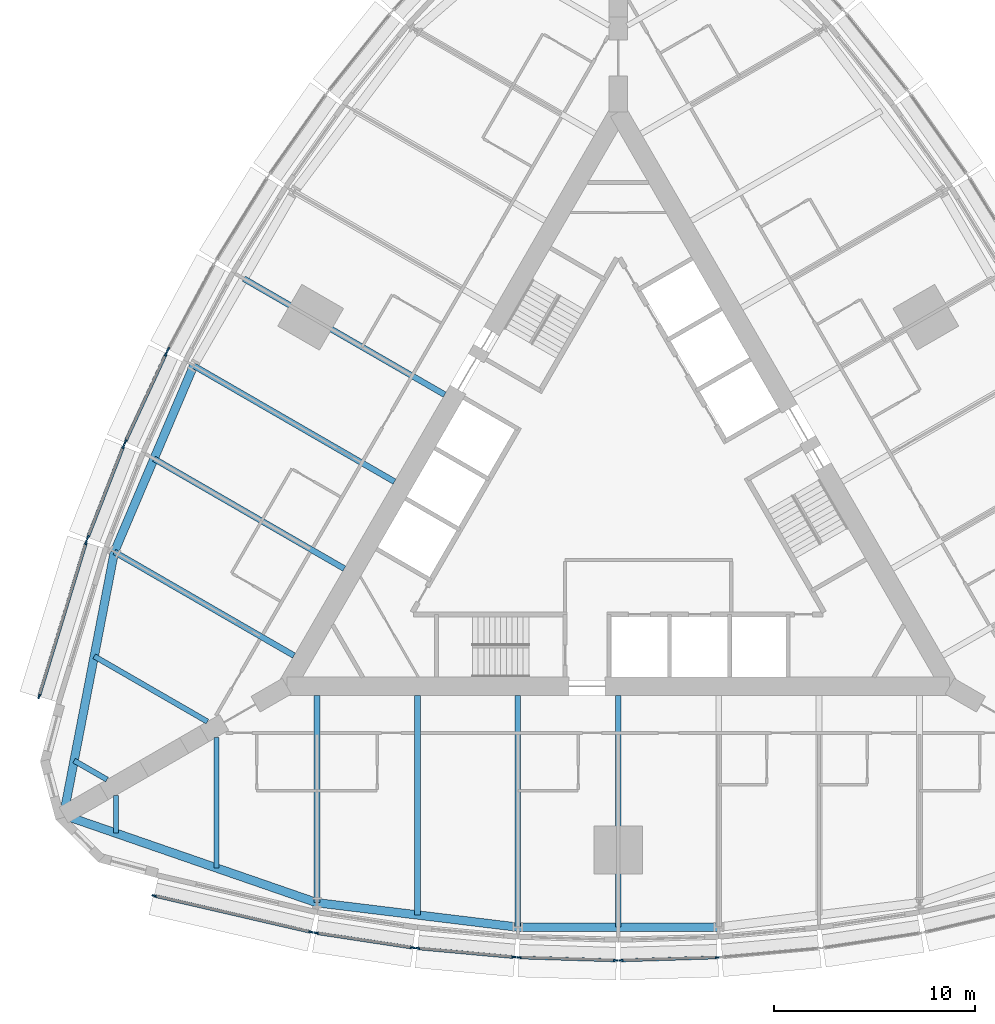
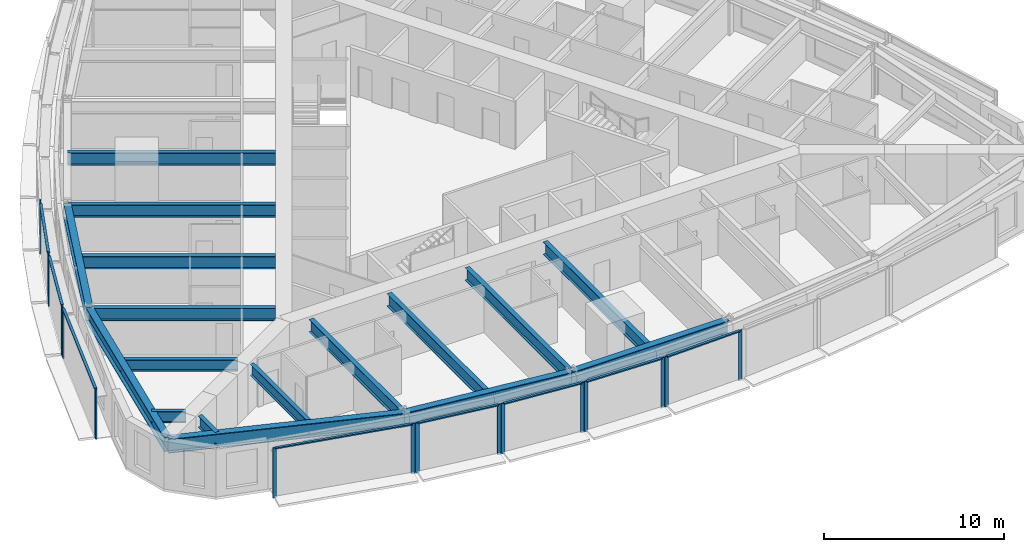
# One storey, part 2 of 14: 25 members, 17 beams, 9 elements without a shape of their own.
"""IFC4 building model written with IfcOpenShell, lengths in metres."""

import ifcopenshell
import ifcopenshell.guid

model = None  # the IFC model being written
_history = None  # IfcOwnerHistory: only IFC2X3 demands one
_inside = {}  # id of a spatial element -> (the spatial element, [elements in it])
_under = {}  # id of a project, library or spatial element -> (it, [spatial elements below it])
_declared = {}  # id of a project -> (the project, [libraries it declares])
_typed = {}  # id of a type object -> (the type object, [elements of that type])
_made_of = {}  # id of a material, layer set ... -> (it, [elements and type objects made of it])


def new_model(schema):
    """Start an empty IFC model of exactly this schema.

    Asked for "IFC4X3", IfcOpenShell would pick the latest addendum, in which some entities
    have other attributes; the version numbers below select the first issue.
    IFC2X3 requires an IfcOwnerHistory on every rooted entity: one is made here for all.
    """
    global model, _history
    if schema == "IFC4X3":
        model = ifcopenshell.file(schema_version=(4, 3, 0, 0))
    else:
        model = ifcopenshell.file(schema=schema)
    _inside.clear()
    _under.clear()
    _declared.clear()
    _typed.clear()
    _made_of.clear()
    _history = None
    if model.schema == "IFC2X3":
        org = make("IfcOrganization", Name="unknown")
        user = make(
            "IfcPersonAndOrganization",
            ThePerson=make("IfcPerson", FamilyName="unknown"),
            TheOrganization=org,
        )
        app = make(
            "IfcApplication",
            ApplicationDeveloper=org,
            Version="unknown",
            ApplicationFullName="unknown",
            ApplicationIdentifier="unknown",
        )
        _history = make(
            "IfcOwnerHistory",
            OwningUser=user,
            OwningApplication=app,
            ChangeAction="ADDED",
            CreationDate=0,
        )
    return model


def make(cls, **values):
    """One entity of the class cls with the attributes given. An attribute that is None is left unset."""
    return model.create_entity(
        cls, **{name: value for name, value in values.items() if value is not None}
    )


def rooted(cls, **values):
    """An entity with a GlobalId (a new one), such as an element, a storey or a relation."""
    return make(cls, GlobalId=ifcopenshell.guid.new(), OwnerHistory=_history, **values)


def si_unit(unit_type, name, prefix=None):
    """IfcSIUnit, for example si_unit("LENGTHUNIT", "METRE", prefix="MILLI")."""
    return make("IfcSIUnit", UnitType=unit_type, Prefix=prefix, Name=name)


def assignment(units):
    """IfcUnitAssignment: the units of a project."""
    return None if units is None else make("IfcUnitAssignment", Units=units)


def point(xyz):
    """IfcCartesianPoint."""
    return None if xyz is None else make("IfcCartesianPoint", Coordinates=xyz)


def direction(xyz):
    """IfcDirection."""
    return None if xyz is None else make("IfcDirection", DirectionRatios=xyz)


def frame(location, z_axis=None, x_axis=None):
    """IfcAxis2Placement3D, a coordinate frame: its origin and axes. An axis left out is left unset."""
    return make(
        "IfcAxis2Placement3D",
        Location=point(location),
        Axis=direction(z_axis),
        RefDirection=direction(x_axis),
    )


def frame_2d(location, x_axis=None):
    """IfcAxis2Placement2D, a coordinate frame in the plane: its origin and x axis."""
    return make(
        "IfcAxis2Placement2D", Location=point(location), RefDirection=direction(x_axis)
    )


def origin():
    """The frame at (0, 0, 0) with its axes left unset."""
    return frame((0.0, 0.0, 0.0))


def origin_2d():
    """The frame at (0, 0) in the plane with its x axis left unset."""
    return frame_2d((0.0, 0.0))


def place(relative_to, where):
    """IfcLocalPlacement: puts the frame where relative to a parent placement (None: the world)."""
    return make(
        "IfcLocalPlacement", PlacementRelTo=relative_to, RelativePlacement=where
    )


def context(
    kind, dimensions, precision=None, world=None, true_north=None, identifier=None
):
    """IfcGeometricRepresentationContext, for example the 3D "Model" context."""
    return make(
        "IfcGeometricRepresentationContext",
        ContextIdentifier=identifier,
        ContextType=kind,
        CoordinateSpaceDimension=dimensions,
        Precision=precision,
        WorldCoordinateSystem=world,
        TrueNorth=true_north,
    )


def subcontext(parent, identifier, kind, view, scale=None):
    """IfcGeometricRepresentationSubContext, for example "Body" below "Model"."""
    return make(
        "IfcGeometricRepresentationSubContext",
        ContextIdentifier=identifier,
        ContextType=kind,
        ParentContext=parent,
        TargetScale=scale,
        TargetView=view,
    )


def project(units=None, contexts=None):
    """IfcProject with its units and contexts."""
    return rooted(
        "IfcProject",
        Name="project",
        RepresentationContexts=contexts,
        UnitsInContext=assignment(units),
    )


def spatial(cls, under=None, at=None, **own):
    """A site, building, storey or space (cls), placed at a placement, below another one or the project."""
    s = rooted(cls, ObjectPlacement=at, **own)
    if under is not None:
        _under.setdefault(under.id(), (under, []))[1].append(s)
    return s


def profile(cls, at=None, kind="AREA", **sizes):
    """A parametric profile (cls). Its sizes go by their IFC names, for example OverallWidth=200.0."""
    return make(cls, ProfileType=kind, Position=at, **sizes)


def rectangle(**sizes):
    """IfcRectangleProfileDef."""
    return profile("IfcRectangleProfileDef", **sizes)


def i_section(**sizes):
    """IfcIShapeProfileDef."""
    return profile("IfcIShapeProfileDef", **sizes)


def extrude(swept, where, along, depth):
    """IfcExtrudedAreaSolid: the profile swept, set in the frame where, extruded along a direction by depth."""
    return make(
        "IfcExtrudedAreaSolid",
        SweptArea=swept,
        Position=where,
        ExtrudedDirection=direction(along),
        Depth=depth,
    )


def shape(context_of_items, identifier, shape_type, items):
    """IfcShapeRepresentation: the items that make up one representation, for example the "Body"."""
    return make(
        "IfcShapeRepresentation",
        ContextOfItems=context_of_items,
        RepresentationIdentifier=identifier,
        RepresentationType=shape_type,
        Items=items,
    )


def material(Name=None, Category=None):
    """IfcMaterial."""
    return make("IfcMaterial", Name=Name, Category=Category)


def material_profile(
    of_material, cross_section, Name=None, Category=None, Priority=None
):
    """IfcMaterialProfile: a cross section and its material."""
    return make(
        "IfcMaterialProfile",
        Name=Name,
        Material=of_material,
        Profile=cross_section,
        Priority=Priority,
        Category=Category,
    )


def profile_set(profiles, Name=None, composite=None):
    """IfcMaterialProfileSet."""
    return make(
        "IfcMaterialProfileSet",
        Name=Name,
        MaterialProfiles=profiles,
        CompositeProfile=composite,
    )


def made_of(thing, what):
    """Note that an element or type object is made of a material, layer set ...; save() writes the relation."""
    if what is not None:
        _made_of.setdefault(what.id(), (what, []))[1].append(thing)
    return thing


def type_object(cls, material=None, **own):
    """A type object (cls), such as IfcWallType, which elements share."""
    return made_of(rooted(cls, **own), material)


def element(
    cls,
    number,
    at=None,
    inside=None,
    cuts=None,
    type_object=None,
    material=None,
    context=None,
    identifier="Body",
    shape_type=None,
    held_by="IfcProductDefinitionShape",
    body=None,
    shapes=None,
    **own,
):
    """One element of the class cls, such as IfcWall. Its Tag is "e" and its number.

    at: its placement. inside: the storey or other place that contains it. cuts: it is an
    opening in that element (IfcRelVoidsElement). A single representation is given by context,
    identifier, shape_type and body (its items); several are given by shapes. held_by: the class
    of the entity that holds the representations. save() writes the other relations.
    """
    e = rooted(cls, Tag="e%d" % number, ObjectPlacement=at, **own)
    if body is not None:
        shapes = [shape(context, identifier, shape_type, body)]
    if shapes is not None:
        e.Representation = make(held_by, Representations=shapes)
    if inside is not None:
        _inside.setdefault(inside.id(), (inside, []))[1].append(e)
    if cuts is not None:
        rooted(
            "IfcRelVoidsElement", RelatingBuildingElement=cuts, RelatedOpeningElement=e
        )
    if type_object is not None:
        _typed.setdefault(type_object.id(), (type_object, []))[1].append(e)
    return made_of(e, material)


def aggregate(whole, parts):
    """IfcRelAggregates: a whole, such as a stair, and the parts it consists of."""
    return rooted("IfcRelAggregates", RelatingObject=whole, RelatedObjects=parts)


def save(model, path):
    """Write the relations noted so far, then the file.

    IfcRelAggregates (storeys below a building ...), IfcRelContainedInSpatialStructure (elements
    in a storey), IfcRelDefinesByType, IfcRelAssociatesMaterial and IfcRelDeclares: one each for
    every whole, place, type object, material and project.
    """
    for whole, parts in _under.values():
        aggregate(whole, parts)
    for where, things in _inside.values():
        rooted(
            "IfcRelContainedInSpatialStructure",
            RelatedElements=things,
            RelatingStructure=where,
        )
    for kind, things in _typed.values():
        rooted("IfcRelDefinesByType", RelatedObjects=things, RelatingType=kind)
    for what, things in _made_of.values():
        rooted("IfcRelAssociatesMaterial", RelatedObjects=things, RelatingMaterial=what)
    for by, libraries in _declared.values():
        rooted("IfcRelDeclares", RelatingContext=by, RelatedDefinitions=libraries)
    model.write(path)


model = new_model("IFC4")

# Units and contexts
model_context = context("Model", 3, precision=1e-05, world=origin(), true_north=direction((0.0, 1.0)))
body_context = subcontext(model_context, "Body", "Model", "MODEL_VIEW")
ifc_project = project(units=[si_unit("LENGTHUNIT", "METRE"), si_unit("AREAUNIT", "SQUARE_METRE"), si_unit("VOLUMEUNIT", "CUBIC_METRE"), si_unit("PLANEANGLEUNIT", "RADIAN"), si_unit("MASSUNIT", "GRAM", prefix="KILO")], contexts=[model_context])

# Site, building, storey
site_placement = place(None, origin())
site = spatial("IfcSite", under=ifc_project, at=site_placement, CompositionType="ELEMENT")
building_placement = place(site_placement, origin())
building = spatial("IfcBuilding", under=site, at=building_placement, Name="Trikona Tower", CompositionType="ELEMENT")
storey_placement = place(building_placement, frame((0.0, 0.0, 79.5)))
storey = spatial("IfcBuildingStorey", under=building, at=storey_placement, Name="L20", CompositionType="ELEMENT", Elevation=79.5)

# Curtain wall, members
ifc_material_1 = material(Name="Aluminium curtain wall system", Category="aluminium")
curtain_wall_type = type_object("IfcCurtainWallType", Name="Curtain wall DS1", PredefinedType="NOTDEFINED", material=ifc_material_1)
curtain_wall_1_placement = place(storey_placement, origin())
curtain_wall_1 = element("IfcCurtainWall", 1, at=curtain_wall_1_placement, inside=storey, type_object=curtain_wall_type, Name="Curtain wall DS1 L20", PredefinedType="NOTDEFINED")
ifc_material_2 = material(Name="Aluminium mullion, pale anodised", Category="aluminium")
ifc_material_profile_1 = material_profile(ifc_material_2, rectangle(XDim=0.080078125, YDim=0.219970703125, at=origin_2d()), Name="MUL-DS1")
ifc_profile_set_1 = profile_set([ifc_material_profile_1], Name="Aluminium mullion, pale anodised")
member_type_1 = type_object("IfcMemberType", Name="Mullion DS1 80x220", PredefinedType="MULLION", material=ifc_profile_set_1)
member_1_placement = place(storey_placement, frame((-23.10546875, -19.951904296875, 0.0), z_axis=(0.0, 0.0, 1.0), x_axis=(0.225343288756, 0.974279427173, 0.0)))
member_1 = element("IfcMember", 2, at=member_1_placement, type_object=member_type_1, Name="CW-DS1 mullion 1", PredefinedType="MULLION", context=body_context, shape_type="SweptSolid", body=[
    extrude(rectangle(XDim=0.080078125, YDim=0.219970703125, at=origin_2d()), origin(), (0.0, 0.0, 1.0), 3.39990234375),
])
member_2_placement = place(storey_placement, frame((-15.30029296875, -21.75732421875, 0.0), z_axis=(0.0, 0.0, 1.0), x_axis=(0.225343288756, 0.974279427173, 0.0)))
member_2 = element("IfcMember", 3, at=member_2_placement, type_object=member_type_1, Name="CW-DS1 mullion 2", PredefinedType="MULLION", context=body_context, shape_type="SweptSolid", body=[
    extrude(rectangle(XDim=0.080078125, YDim=0.219970703125, at=origin_2d()), origin(), (0.0, 0.0, 1.0), 3.39990234375),
])

curtain_wall_2_placement = place(storey_placement, origin())
curtain_wall_2 = element("IfcCurtainWall", 4, at=curtain_wall_2_placement, inside=storey, type_object=curtain_wall_type, Name="Curtain wall DS1 L20", PredefinedType="NOTDEFINED")
member_3_placement = place(storey_placement, frame((-15.03662109375, -21.807861328125, 0.0), z_axis=(0.0, 0.0, 1.0), x_axis=(0.150437693845, 0.988619492156, 0.0)))
member_3 = element("IfcMember", 5, at=member_3_placement, type_object=member_type_1, Name="CW-DS1 mullion 1", PredefinedType="MULLION", context=body_context, shape_type="SweptSolid", body=[
    extrude(rectangle(XDim=0.080078125, YDim=0.219970703125, at=origin_2d()), origin(), (0.0, 0.0, 1.0), 3.39990234375),
])
member_4_placement = place(storey_placement, frame((-10.234130859375, -22.53857421875, 0.0), z_axis=(0.0, 0.0, 1.0), x_axis=(0.150437693845, 0.988619492156, 0.0)))
member_4 = element("IfcMember", 6, at=member_4_placement, type_object=member_type_1, Name="CW-DS1 mullion 2", PredefinedType="MULLION", context=body_context, shape_type="SweptSolid", body=[
    extrude(rectangle(XDim=0.080078125, YDim=0.219970703125, at=origin_2d()), origin(), (0.0, 0.0, 1.0), 3.39990234375),
])

curtain_wall_3_placement = place(storey_placement, origin())
curtain_wall_3 = element("IfcCurtainWall", 7, at=curtain_wall_3_placement, inside=storey, type_object=curtain_wall_type, Name="Curtain wall DS1 L20", PredefinedType="NOTDEFINED")
member_5_placement = place(storey_placement, frame((-9.982177734375, -22.5693359375, 0.0), z_axis=(0.0, 0.0, 1.0), x_axis=(0.090923932737, 0.995857840485, 0.0)))
member_5 = element("IfcMember", 8, at=member_5_placement, type_object=member_type_1, Name="CW-DS1 mullion 1", PredefinedType="MULLION", context=body_context, shape_type="SweptSolid", body=[
    extrude(rectangle(XDim=0.080078125, YDim=0.219970703125, at=origin_2d()), origin(), (0.0, 0.0, 1.0), 3.39990234375),
])
member_6_placement = place(storey_placement, frame((-5.181396484375, -23.007568359375, 0.0), z_axis=(0.0, 0.0, 1.0), x_axis=(0.090923932737, 0.995857840485, 0.0)))
member_6 = element("IfcMember", 9, at=member_6_placement, type_object=member_type_1, Name="CW-DS1 mullion 2", PredefinedType="MULLION", context=body_context, shape_type="SweptSolid", body=[
    extrude(rectangle(XDim=0.080078125, YDim=0.219970703125, at=origin_2d()), origin(), (0.0, 0.0, 1.0), 3.39990234375),
])

curtain_wall_4_placement = place(storey_placement, origin())
curtain_wall_4 = element("IfcCurtainWall", 10, at=curtain_wall_4_placement, inside=storey, type_object=curtain_wall_type, Name="Curtain wall DS1 L20", PredefinedType="NOTDEFINED")
member_7_placement = place(storey_placement, frame((-4.927490234375, -23.02294921875, 0.0), z_axis=(0.0, 0.0, 1.0), x_axis=(0.030436711692, 0.999536695965, 0.0)))
member_7 = element("IfcMember", 11, at=member_7_placement, type_object=member_type_1, Name="CW-DS1 mullion 1", PredefinedType="MULLION", context=body_context, shape_type="SweptSolid", body=[
    extrude(rectangle(XDim=0.080078125, YDim=0.219970703125, at=origin_2d()), origin(), (0.0, 0.0, 1.0), 3.39990234375),
])
member_8_placement = place(storey_placement, frame((-0.12744140625, -23.169189453125, 0.0), z_axis=(0.0, 0.0, 1.0), x_axis=(0.030436711692, 0.999536695965, 0.0)))
member_8 = element("IfcMember", 12, at=member_8_placement, type_object=member_type_1, Name="CW-DS1 mullion 2", PredefinedType="MULLION", context=body_context, shape_type="SweptSolid", body=[
    extrude(rectangle(XDim=0.080078125, YDim=0.219970703125, at=origin_2d()), origin(), (0.0, 0.0, 1.0), 3.39990234375),
])

curtain_wall_5_placement = place(storey_placement, origin())
curtain_wall_5 = element("IfcCurtainWall", 13, at=curtain_wall_5_placement, inside=storey, type_object=curtain_wall_type, Name="Curtain wall DS1 L20", PredefinedType="NOTDEFINED")
member_9_placement = place(storey_placement, frame((0.12744140625, -23.169189453125, 0.0), z_axis=(0.0, 0.0, 1.0), x_axis=(-0.030436711692, 0.999536695965, 0.0)))
member_9 = element("IfcMember", 14, at=member_9_placement, type_object=member_type_1, Name="CW-DS1 mullion 1", PredefinedType="MULLION", context=body_context, shape_type="SweptSolid", body=[
    extrude(rectangle(XDim=0.080078125, YDim=0.219970703125, at=origin_2d()), origin(), (0.0, 0.0, 1.0), 3.39990234375),
])
member_10_placement = place(storey_placement, frame((4.927490234375, -23.02294921875, 0.0), z_axis=(0.0, 0.0, 1.0), x_axis=(-0.030436711692, 0.999536695965, 0.0)))
member_10 = element("IfcMember", 15, at=member_10_placement, type_object=member_type_1, Name="CW-DS1 mullion 2", PredefinedType="MULLION", context=body_context, shape_type="SweptSolid", body=[
    extrude(rectangle(XDim=0.080078125, YDim=0.219970703125, at=origin_2d()), origin(), (0.0, 0.0, 1.0), 3.39990234375),
])

# Curtain wall, member
curtain_wall_6_placement = place(storey_placement, origin())
curtain_wall_6 = element("IfcCurtainWall", 16, at=curtain_wall_6_placement, inside=storey, type_object=curtain_wall_type, Name="Curtain wall DS1 L20", PredefinedType="NOTDEFINED")
member_11_placement = place(storey_placement, frame((-22.402099609375, 7.244140625, 0.0), z_axis=(0.0, 0.0, 1.0), x_axis=(0.880843080975, -0.473408350896, 0.0)))
member_11 = element("IfcMember", 17, at=member_11_placement, type_object=member_type_1, Name="CW-DS1 mullion 2", PredefinedType="MULLION", context=body_context, shape_type="SweptSolid", body=[
    extrude(rectangle(XDim=0.080078125, YDim=0.219970703125, at=origin_2d()), origin(), (0.0, 0.0, 1.0), 3.39990234375),
])
aggregate(curtain_wall_6, [member_11])

# Curtain wall, members
curtain_wall_7_placement = place(storey_placement, origin())
curtain_wall_7 = element("IfcCurtainWall", 18, at=curtain_wall_7_placement, inside=storey, type_object=curtain_wall_type, Name="Curtain wall DS1 L20", PredefinedType="NOTDEFINED")
member_12_placement = place(storey_placement, frame((-22.515869140625, 7.0166015625, 0.0), z_axis=(0.0, 0.0, 1.0), x_axis=(0.907898459992, -0.419190155352, 0.0)))
member_12 = element("IfcMember", 19, at=member_12_placement, type_object=member_type_1, Name="CW-DS1 mullion 1", PredefinedType="MULLION", context=body_context, shape_type="SweptSolid", body=[
    extrude(rectangle(XDim=0.080078125, YDim=0.219970703125, at=origin_2d()), origin(), (0.0, 0.0, 1.0), 3.39990234375),
])
member_13_placement = place(storey_placement, frame((-24.53662109375, 2.6396484375, 0.0), z_axis=(0.0, 0.0, 1.0), x_axis=(0.907898459992, -0.419190155352, 0.0)))
member_13 = element("IfcMember", 20, at=member_13_placement, type_object=member_type_1, Name="CW-DS1 mullion 2", PredefinedType="MULLION", context=body_context, shape_type="SweptSolid", body=[
    extrude(rectangle(XDim=0.080078125, YDim=0.219970703125, at=origin_2d()), origin(), (0.0, 0.0, 1.0), 3.39990234375),
])

curtain_wall_8_placement = place(storey_placement, origin())
curtain_wall_8 = element("IfcCurtainWall", 21, at=curtain_wall_8_placement, inside=storey, type_object=curtain_wall_type, Name="Curtain wall DS1 L20", PredefinedType="NOTDEFINED")
member_14_placement = place(storey_placement, frame((-24.63623046875, 2.40625, 0.0), z_axis=(0.0, 0.0, 1.0), x_axis=(0.931395989443, -0.36400756977, 0.0)))
member_14 = element("IfcMember", 22, at=member_14_placement, type_object=member_type_1, Name="CW-DS1 mullion 1", PredefinedType="MULLION", context=body_context, shape_type="SweptSolid", body=[
    extrude(rectangle(XDim=0.080078125, YDim=0.219970703125, at=origin_2d()), origin(), (0.0, 0.0, 1.0), 3.39990234375),
])
member_15_placement = place(storey_placement, frame((-26.404296875, -2.1181640625, 0.0), z_axis=(0.0, 0.0, 1.0), x_axis=(0.931395989443, -0.36400756977, 0.0)))
member_15 = element("IfcMember", 23, at=member_15_placement, type_object=member_type_1, Name="CW-DS1 mullion 2", PredefinedType="MULLION", context=body_context, shape_type="SweptSolid", body=[
    extrude(rectangle(XDim=0.080078125, YDim=0.219970703125, at=origin_2d()), origin(), (0.0, 0.0, 1.0), 3.39990234375),
])

curtain_wall_9_placement = place(storey_placement, origin())
curtain_wall_9 = element("IfcCurtainWall", 24, at=curtain_wall_9_placement, inside=storey, type_object=curtain_wall_type, Name="Curtain wall DS1 L20", PredefinedType="NOTDEFINED")
member_16_placement = place(storey_placement, frame((-26.492431640625, -2.371826171875, 0.0), z_axis=(0.0, 0.0, 1.0), x_axis=(0.956423115383, -0.291984287868, 0.0)))
member_16 = element("IfcMember", 25, at=member_16_placement, type_object=member_type_1, Name="CW-DS1 mullion 1", PredefinedType="MULLION", context=body_context, shape_type="SweptSolid", body=[
    extrude(rectangle(XDim=0.080078125, YDim=0.219970703125, at=origin_2d()), origin(), (0.0, 0.0, 1.0), 3.39990234375),
])
member_17_placement = place(storey_placement, frame((-28.83154296875, -10.033935546875, 0.0), z_axis=(0.0, 0.0, 1.0), x_axis=(0.956423115383, -0.291984287868, 0.0)))
member_17 = element("IfcMember", 26, at=member_17_placement, type_object=member_type_1, Name="CW-DS1 mullion 2", PredefinedType="MULLION", context=body_context, shape_type="SweptSolid", body=[
    extrude(rectangle(XDim=0.080078125, YDim=0.219970703125, at=origin_2d()), origin(), (0.0, 0.0, 1.0), 3.39990234375),
])

# Beams
ifc_material_3 = material(Name="Steel ASTM A992 Grade 50", Category="steel")
ifc_material_profile_2 = material_profile(ifc_material_3, i_section(OverallWidth=0.2666015625, OverallDepth=0.76953125, WebThickness=0.015625, FlangeThickness=0.025390625, at=origin_2d()), Name="W30X132")
ifc_profile_set_2 = profile_set([ifc_material_profile_2], Name="Steel ASTM A992 Grade 50")
beam_type_1 = type_object("IfcBeamType", Name="Steel beam W30x132 (wedge)", PredefinedType="BEAM", material=ifc_profile_set_2)
beam_1_placement = place(storey_placement, frame((-25.0, -14.953369140625, 2.85009765625), z_axis=(0.0, -1.0, 0.0), x_axis=(1.0, 0.0, 0.0)))
element("IfcBeam", 27, at=beam_1_placement, inside=storey, type_object=beam_type_1, Name="Floor beam L21 F1 u-25", PredefinedType="BEAM", context=body_context, shape_type="SweptSolid", body=[
    extrude(i_section(OverallWidth=0.2666015625, OverallDepth=0.76953125, WebThickness=0.015625, FlangeThickness=0.025390625, at=origin_2d()), origin(), (0.0, 0.0, 1.0), 1.890380859375),
])
for number, where, z_axis, x_axis, name in (
    (28, (-20.0, -12.066650390625, 2.85009765625), (0.0, -1.0, 0.0), (1.0, 0.0, 0.0), "Floor beam L21 F1 u-20"),
    (29, (-20.449951171875, -11.287109375, 2.85009765625), (-0.866022504693, 0.50000502134, 0.0), (-0.50000502134, -0.866022504693, 0.0), "Floor beam L21 F3 u20"),
):
    element("IfcBeam", number, at=place(storey_placement, frame(where, z_axis=z_axis, x_axis=x_axis)), inside=storey, type_object=beam_type_1, Name=name, PredefinedType="BEAM", context=body_context, shape_type="SweptSolid", body=[
        extrude(i_section(OverallWidth=0.2666015625, OverallDepth=0.76953125, WebThickness=0.015625, FlangeThickness=0.025390625, at=origin_2d()), origin(), (0.0, 0.0, 1.0), 6.5068359375),
    ])
beam_2_placement = place(storey_placement, frame((-25.449951171875, -14.173828125, 2.85009765625), z_axis=(-0.866065156741, 0.499931139538, 0.0), x_axis=(-0.499931139538, -0.866065156741, 0.0)))
element("IfcBeam", 30, at=beam_2_placement, inside=storey, type_object=beam_type_1, Name="Floor beam L21 F3 u25", PredefinedType="BEAM", context=body_context, shape_type="SweptSolid", body=[
    extrude(i_section(OverallWidth=0.2666015625, OverallDepth=0.76953125, WebThickness=0.015625, FlangeThickness=0.025390625, at=origin_2d()), origin(), (0.0, 0.0, 1.0), 1.890380859375),
])
ifc_material_4 = material(Name="Steel ASTM A992 Grade 50", Category="steel")
ifc_material_profile_3 = material_profile(ifc_material_4, i_section(OverallWidth=0.2919921875, OverallDepth=0.845703125, WebThickness=0.015380859375, FlangeThickness=0.0244140625, at=origin_2d()), Name="W33X141")
ifc_profile_set_3 = profile_set([ifc_material_profile_3], Name="Steel ASTM A992 Grade 50")
beam_type_2 = type_object("IfcBeamType", Name="Steel beam W33x141 (radial typ)", PredefinedType="BEAM", material=ifc_profile_set_3)
beam_3_placement = place(storey_placement, frame((-15.0, -9.976318359375, 2.81201171875), z_axis=(0.0, -1.0, 0.0), x_axis=(1.0, 0.0, 0.0)))
element("IfcBeam", 31, at=beam_3_placement, inside=storey, type_object=beam_type_2, Name="Floor beam L21 F1 u-15", PredefinedType="BEAM", context=body_context, shape_type="SweptSolid", body=[
    extrude(i_section(OverallWidth=0.2919921875, OverallDepth=0.845703125, WebThickness=0.015380859375, FlangeThickness=0.0244140625, at=origin_2d()), origin(), (0.0, 0.0, 1.0), 10.32666015625),
])
beam_4_placement = place(storey_placement, frame((-10.0, -9.976318359375, 2.81201171875), z_axis=(0.0, -1.0, 0.0), x_axis=(1.0, 0.0, 0.0)))
element("IfcBeam", 32, at=beam_4_placement, inside=storey, type_object=beam_type_2, Name="Floor beam L21 F1 u-10", PredefinedType="BEAM", context=body_context, shape_type="SweptSolid", body=[
    extrude(i_section(OverallWidth=0.2919921875, OverallDepth=0.845703125, WebThickness=0.015380859375, FlangeThickness=0.0244140625, at=origin_2d()), origin(), (0.0, 0.0, 1.0), 10.935302734375),
])
for number, where, z_axis, x_axis, name in (
    (33, (-5.0, -9.976318359375, 2.81201171875), (0.0, -1.0, 0.0), (1.0, 0.0, 0.0), "Floor beam L21 F1 u-5"),
    (34, (0.0, -9.976318359375, 2.81201171875), (0.0, -1.0, 0.0), (1.0, 0.0, 0.0), "Floor beam L21 F1 u0"),
    (35, (-8.6396484375, 4.988037109375, 2.81201171875), (-0.866020765707, 0.500008033299, 0.0), (-0.500008033299, -0.866020765707, 0.0), "Floor beam L21 F3 u0"),
    (36, (-11.1396484375, 0.657958984375, 2.81201171875), (-0.866020765707, 0.500008033299, 0.0), (-0.500008033299, -0.866020765707, 0.0), "Floor beam L21 F3 u5"),
):
    element("IfcBeam", number, at=place(storey_placement, frame(where, z_axis=z_axis, x_axis=x_axis)), inside=storey, type_object=beam_type_2, Name=name, PredefinedType="BEAM", context=body_context, shape_type="SweptSolid", body=[
        extrude(i_section(OverallWidth=0.2919921875, OverallDepth=0.845703125, WebThickness=0.015380859375, FlangeThickness=0.0244140625, at=origin_2d()), origin(), (0.0, 0.0, 1.0), 11.544189453125),
    ])
beam_5_placement = place(storey_placement, frame((-13.6396484375, -3.672119140625, 2.81201171875), z_axis=(-0.866025348605, 0.500000095573, 0.0), x_axis=(-0.500000095573, -0.866025348605, 0.0)))
element("IfcBeam", 37, at=beam_5_placement, inside=storey, type_object=beam_type_2, Name="Floor beam L21 F3 u10", PredefinedType="BEAM", context=body_context, shape_type="SweptSolid", body=[
    extrude(i_section(OverallWidth=0.2919921875, OverallDepth=0.845703125, WebThickness=0.015380859375, FlangeThickness=0.0244140625, at=origin_2d()), origin(), (0.0, 0.0, 1.0), 10.935546875),
])
beam_6_placement = place(storey_placement, frame((-16.1396484375, -8.002197265625, 2.81201171875), z_axis=(-0.866030471684, 0.499991222037, 0.0), x_axis=(-0.499991222037, -0.866030471684, 0.0)))
element("IfcBeam", 38, at=beam_6_placement, inside=storey, type_object=beam_type_2, Name="Floor beam L21 F3 u15", PredefinedType="BEAM", context=body_context, shape_type="SweptSolid", body=[
    extrude(i_section(OverallWidth=0.2919921875, OverallDepth=0.845703125, WebThickness=0.015380859375, FlangeThickness=0.0244140625, at=origin_2d()), origin(), (0.0, 0.0, 1.0), 10.326904296875),
])
ifc_material_5 = material(Name="Steel ASTM A992 Grade 50", Category="steel")
ifc_material_profile_4 = material_profile(ifc_material_5, i_section(OverallWidth=0.424072265625, OverallDepth=0.947509765625, WebThickness=0.02392578125, FlangeThickness=0.042724609375, at=origin_2d()), Name="W36X302")
ifc_profile_set_4 = profile_set([ifc_material_profile_4], Name="Steel ASTM A992 Grade 50")
beam_type_3 = type_object("IfcBeamType", Name="Steel beam W36x302 (spandrel)", PredefinedType="SPANDREL", material=ifc_profile_set_4)
beam_7_placement = place(storey_placement, frame((-27.6103515625, -15.94091796875, 2.76123046875), z_axis=(0.945056965739, -0.326905692071, 0.0), x_axis=(0.326905692071, 0.945056965739, 0.0)))
element("IfcBeam", 39, at=beam_7_placement, inside=storey, type_object=beam_type_3, Name="Spandrel beam L21 F1-1", PredefinedType="SPANDREL", context=body_context, shape_type="SweptSolid", body=[
    extrude(i_section(OverallWidth=0.424072265625, OverallDepth=0.947509765625, WebThickness=0.02392578125, FlangeThickness=0.042724609375, at=origin_2d()), origin(), (0.0, 0.0, 1.0), 13.343505859375),
])
beam_8_placement = place(storey_placement, frame((-15.0, -20.302978515625, 2.76123046875), z_axis=(0.99266951126, -0.120860421207, 0.0), x_axis=(0.120860421207, 0.99266951126, 0.0)))
element("IfcBeam", 40, at=beam_8_placement, inside=storey, type_object=beam_type_3, Name="Spandrel beam L21 F1-2", PredefinedType="SPANDREL", context=body_context, shape_type="SweptSolid", body=[
    extrude(i_section(OverallWidth=0.424072265625, OverallDepth=0.947509765625, WebThickness=0.02392578125, FlangeThickness=0.042724609375, at=origin_2d()), origin(), (0.0, 0.0, 1.0), 10.07373046875),
])
beam_9_placement = place(storey_placement, frame((-5.0, -21.5205078125, 2.76123046875), z_axis=(1.0, 0.0, 0.0), x_axis=(0.0, 1.0, 0.0)))
element("IfcBeam", 41, at=beam_9_placement, inside=storey, type_object=beam_type_3, Name="Spandrel beam L21 F1-3", PredefinedType="SPANDREL", context=body_context, shape_type="SweptSolid", body=[
    extrude(i_section(OverallWidth=0.424072265625, OverallDepth=0.947509765625, WebThickness=0.02392578125, FlangeThickness=0.042724609375, at=origin_2d()), origin(), (0.0, 0.0, 1.0), 10.0),
])
beam_10_placement = place(storey_placement, frame((-21.13720703125, 6.43017578125, 2.76123046875), z_axis=(-0.391683514847, -0.920100007715, 0.0), x_axis=(0.920100007715, -0.391683514847, 0.0)))
element("IfcBeam", 42, at=beam_10_placement, inside=storey, type_object=beam_type_3, Name="Spandrel beam L21 F3-4", PredefinedType="SPANDREL", context=body_context, shape_type="SweptSolid", body=[
    extrude(i_section(OverallWidth=0.424072265625, OverallDepth=0.947509765625, WebThickness=0.02392578125, FlangeThickness=0.042724609375, at=origin_2d()), origin(), (0.0, 0.0, 1.0), 10.073974609375),
])
beam_11_placement = place(storey_placement, frame((-25.0830078125, -2.8388671875, 2.76123046875), z_axis=(-0.189405184036, -0.981899015307, 0.0), x_axis=(0.981899015307, -0.189405184036, 0.0)))
element("IfcBeam", 43, at=beam_11_placement, inside=storey, type_object=beam_type_3, Name="Spandrel beam L21 F3-5", PredefinedType="SPANDREL", context=body_context, shape_type="SweptSolid", body=[
    extrude(i_section(OverallWidth=0.424072265625, OverallDepth=0.947509765625, WebThickness=0.02392578125, FlangeThickness=0.042724609375, at=origin_2d()), origin(), (0.0, 0.0, 1.0), 13.343505859375),
])

# Member
ifc_material_6 = material(Name="Aluminium transom, pale anodised", Category="aluminium")
ifc_material_profile_5 = material_profile(ifc_material_6, rectangle(XDim=0.159912109375, YDim=0.080078125, at=origin_2d()), Name="TRN-DS1")
ifc_profile_set_5 = profile_set([ifc_material_profile_5], Name="Aluminium transom, pale anodised")
member_type_2 = type_object("IfcMemberType", Name="Transom DS1 80x160", PredefinedType="USERDEFINED", material=ifc_profile_set_5)
member_18_placement = place(storey_placement, frame((-23.06640625, -19.9609375, 3.360107421875), z_axis=(0.974275371842, -0.225360821398, 0.0), x_axis=(0.225360821398, 0.974275371842, 0.0)))
member_18 = element("IfcMember", 44, at=member_18_placement, type_object=member_type_2, Name="CW-DS1 transom 1.1", ObjectType="TRANSOM", PredefinedType="USERDEFINED", context=body_context, shape_type="SweptSolid", body=[
    extrude(rectangle(XDim=0.159912109375, YDim=0.080078125, at=origin_2d()), origin(), (0.0, 0.0, 1.0), 7.93115234375),
])

aggregate(curtain_wall_1, [member_1, member_2, member_18])

member_19_placement = place(storey_placement, frame((-14.9970703125, -21.813720703125, 3.360107421875), z_axis=(0.988619663412, -0.150436568413, 0.0), x_axis=(0.150436568413, 0.988619663412, 0.0)))
member_19 = element("IfcMember", 45, at=member_19_placement, type_object=member_type_2, Name="CW-DS1 transom 1.1", ObjectType="TRANSOM", PredefinedType="USERDEFINED", context=body_context, shape_type="SweptSolid", body=[
    extrude(rectangle(XDim=0.159912109375, YDim=0.080078125, at=origin_2d()), origin(), (0.0, 0.0, 1.0), 4.77783203125),
])

aggregate(curtain_wall_2, [member_3, member_4, member_19])

member_20_placement = place(storey_placement, frame((-9.9423828125, -22.57275390625, 3.360107421875), z_axis=(0.995855977008, -0.090944340438, 0.0), x_axis=(0.090944340438, 0.995855977008, 0.0)))
member_20 = element("IfcMember", 46, at=member_20_placement, type_object=member_type_2, Name="CW-DS1 transom 1.1", ObjectType="TRANSOM", PredefinedType="USERDEFINED", context=body_context, shape_type="SweptSolid", body=[
    extrude(rectangle(XDim=0.159912109375, YDim=0.080078125, at=origin_2d()), origin(), (0.0, 0.0, 1.0), 4.74072265625),
])

aggregate(curtain_wall_3, [member_5, member_6, member_20])

member_21_placement = place(storey_placement, frame((-4.887451171875, -23.024169921875, 3.360107421875), z_axis=(0.999536232946, -0.030451913371, 0.0), x_axis=(0.030451913371, 0.999536232946, 0.0)))
member_21 = element("IfcMember", 47, at=member_21_placement, type_object=member_type_2, Name="CW-DS1 transom 1.1", ObjectType="TRANSOM", PredefinedType="USERDEFINED", context=body_context, shape_type="SweptSolid", body=[
    extrude(rectangle(XDim=0.159912109375, YDim=0.080078125, at=origin_2d()), origin(), (0.0, 0.0, 1.0), 4.72216796875),
])

aggregate(curtain_wall_4, [member_7, member_8, member_21])

member_22_placement = place(storey_placement, frame((0.16748046875, -23.16796875, 3.360107421875), z_axis=(0.999536232946, 0.030451913371, 0.0), x_axis=(-0.030451913371, 0.999536232946, 0.0)))
member_22 = element("IfcMember", 48, at=member_22_placement, type_object=member_type_2, Name="CW-DS1 transom 1.1", ObjectType="TRANSOM", PredefinedType="USERDEFINED", context=body_context, shape_type="SweptSolid", body=[
    extrude(rectangle(XDim=0.159912109375, YDim=0.080078125, at=origin_2d()), origin(), (0.0, 0.0, 1.0), 4.72216796875),
])

aggregate(curtain_wall_5, [member_9, member_10, member_22])

member_23_placement = place(storey_placement, frame((-22.53271484375, 6.980224609375, 3.360107421875), z_axis=(-0.419188800665, -0.90789908547, 0.0), x_axis=(0.90789908547, -0.419188800665, 0.0)))
member_23 = element("IfcMember", 49, at=member_23_placement, type_object=member_type_2, Name="CW-DS1 transom 1.1", ObjectType="TRANSOM", PredefinedType="USERDEFINED", context=body_context, shape_type="SweptSolid", body=[
    extrude(rectangle(XDim=0.159912109375, YDim=0.080078125, at=origin_2d()), origin(), (0.0, 0.0, 1.0), 4.74072265625),
])

aggregate(curtain_wall_7, [member_12, member_13, member_23])

member_24_placement = place(storey_placement, frame((-24.650634765625, 2.368896484375, 3.360107421875), z_axis=(-0.364048647668, -0.931379934362, 0.0), x_axis=(0.931379934362, -0.364048647668, 0.0)))
member_24 = element("IfcMember", 50, at=member_24_placement, type_object=member_type_2, Name="CW-DS1 transom 1.1", ObjectType="TRANSOM", PredefinedType="USERDEFINED", context=body_context, shape_type="SweptSolid", body=[
    extrude(rectangle(XDim=0.159912109375, YDim=0.080078125, at=origin_2d()), origin(), (0.0, 0.0, 1.0), 4.777587890625),
])

aggregate(curtain_wall_8, [member_14, member_15, member_24])

member_25_placement = place(storey_placement, frame((-26.504150390625, -2.409912109375, 3.360107421875), z_axis=(-0.291967490203, -0.956428243343, 0.0), x_axis=(0.956428243343, -0.291967490203, 0.0)))
member_25 = element("IfcMember", 51, at=member_25_placement, type_object=member_type_2, Name="CW-DS1 transom 1.1", ObjectType="TRANSOM", PredefinedType="USERDEFINED", context=body_context, shape_type="SweptSolid", body=[
    extrude(rectangle(XDim=0.159912109375, YDim=0.080078125, at=origin_2d()), origin(), (0.0, 0.0, 1.0), 7.93115234375),
])

aggregate(curtain_wall_9, [member_16, member_17, member_25])

save(model, "model.ifc")
